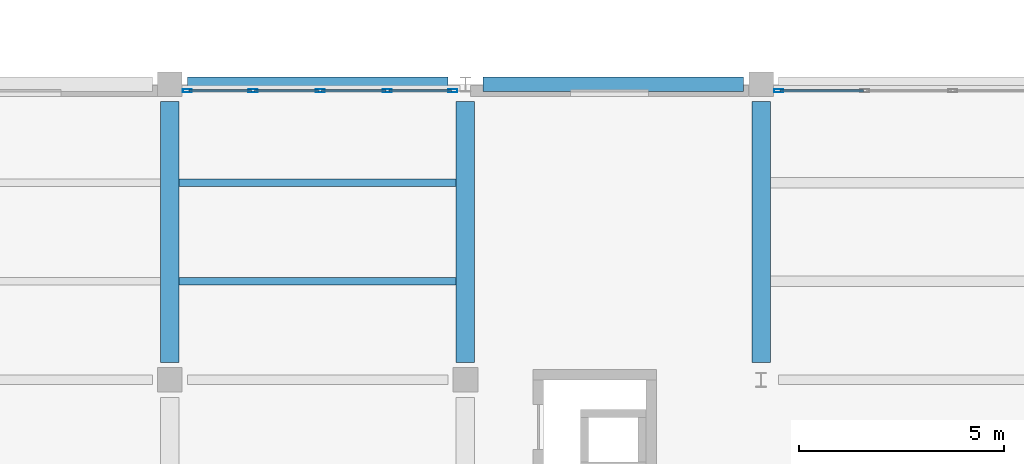
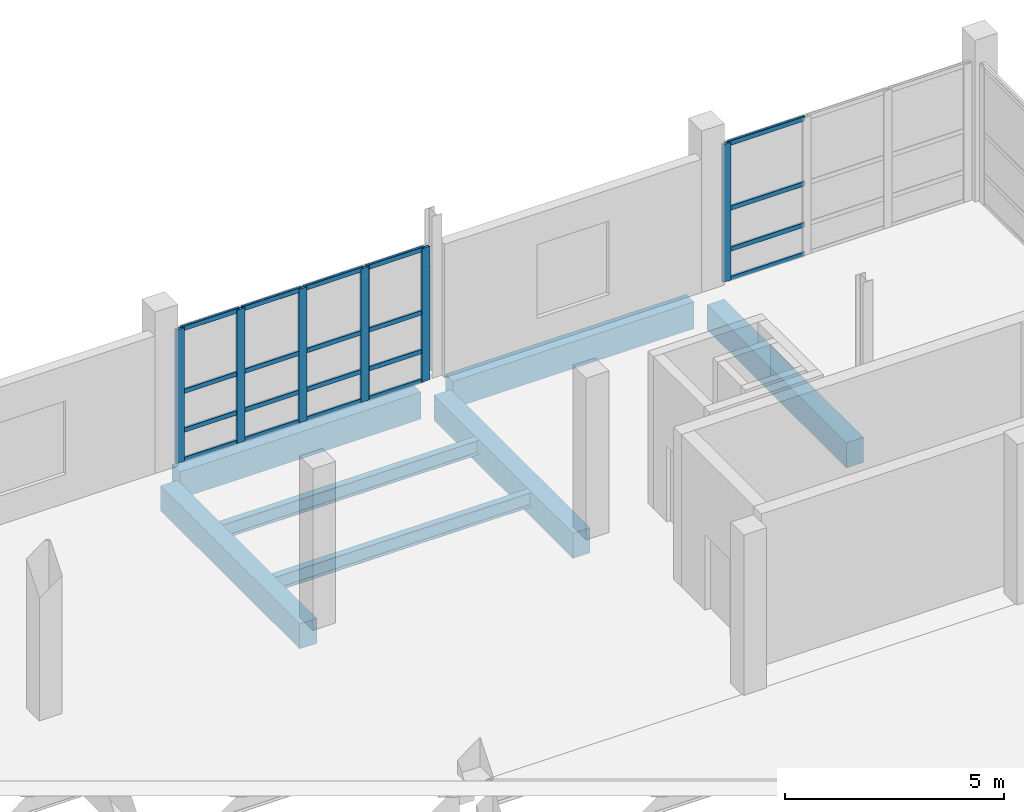
# One storey, part 71 of 123: 26 members, 7 beams, 2 elements without a shape of their own.
"""IFC4 building model written with IfcOpenShell, lengths in metres."""

import ifcopenshell
import ifcopenshell.guid

model = None  # the IFC model being written
_history = None  # IfcOwnerHistory: only IFC2X3 demands one
_inside = {}  # id of a spatial element -> (the spatial element, [elements in it])
_under = {}  # id of a project, library or spatial element -> (it, [spatial elements below it])
_declared = {}  # id of a project -> (the project, [libraries it declares])
_typed = {}  # id of a type object -> (the type object, [elements of that type])
_made_of = {}  # id of a material, layer set ... -> (it, [elements and type objects made of it])


def new_model(schema):
    """Start an empty IFC model of exactly this schema.

    Asked for "IFC4X3", IfcOpenShell would pick the latest addendum, in which some entities
    have other attributes; the version numbers below select the first issue.
    IFC2X3 requires an IfcOwnerHistory on every rooted entity: one is made here for all.
    """
    global model, _history
    if schema == "IFC4X3":
        model = ifcopenshell.file(schema_version=(4, 3, 0, 0))
    else:
        model = ifcopenshell.file(schema=schema)
    _inside.clear()
    _under.clear()
    _declared.clear()
    _typed.clear()
    _made_of.clear()
    _history = None
    if model.schema == "IFC2X3":
        org = make("IfcOrganization", Name="unknown")
        user = make(
            "IfcPersonAndOrganization",
            ThePerson=make("IfcPerson", FamilyName="unknown"),
            TheOrganization=org,
        )
        app = make(
            "IfcApplication",
            ApplicationDeveloper=org,
            Version="unknown",
            ApplicationFullName="unknown",
            ApplicationIdentifier="unknown",
        )
        _history = make(
            "IfcOwnerHistory",
            OwningUser=user,
            OwningApplication=app,
            ChangeAction="ADDED",
            CreationDate=0,
        )
    return model


def make(cls, **values):
    """One entity of the class cls with the attributes given. An attribute that is None is left unset."""
    return model.create_entity(
        cls, **{name: value for name, value in values.items() if value is not None}
    )


def rooted(cls, **values):
    """An entity with a GlobalId (a new one), such as an element, a storey or a relation."""
    return make(cls, GlobalId=ifcopenshell.guid.new(), OwnerHistory=_history, **values)


def si_unit(unit_type, name, prefix=None):
    """IfcSIUnit, for example si_unit("LENGTHUNIT", "METRE", prefix="MILLI")."""
    return make("IfcSIUnit", UnitType=unit_type, Prefix=prefix, Name=name)


def assignment(units):
    """IfcUnitAssignment: the units of a project."""
    return None if units is None else make("IfcUnitAssignment", Units=units)


def point(xyz):
    """IfcCartesianPoint."""
    return None if xyz is None else make("IfcCartesianPoint", Coordinates=xyz)


def direction(xyz):
    """IfcDirection."""
    return None if xyz is None else make("IfcDirection", DirectionRatios=xyz)


def frame(location, z_axis=None, x_axis=None):
    """IfcAxis2Placement3D, a coordinate frame: its origin and axes. An axis left out is left unset."""
    return make(
        "IfcAxis2Placement3D",
        Location=point(location),
        Axis=direction(z_axis),
        RefDirection=direction(x_axis),
    )


def frame_2d(location, x_axis=None):
    """IfcAxis2Placement2D, a coordinate frame in the plane: its origin and x axis."""
    return make(
        "IfcAxis2Placement2D", Location=point(location), RefDirection=direction(x_axis)
    )


def origin():
    """The frame at (0, 0, 0) with its axes left unset."""
    return frame((0.0, 0.0, 0.0))


def origin_2d():
    """The frame at (0, 0) in the plane with its x axis left unset."""
    return frame_2d((0.0, 0.0))


def place(relative_to, where):
    """IfcLocalPlacement: puts the frame where relative to a parent placement (None: the world)."""
    return make(
        "IfcLocalPlacement", PlacementRelTo=relative_to, RelativePlacement=where
    )


def context(
    kind, dimensions, precision=None, world=None, true_north=None, identifier=None
):
    """IfcGeometricRepresentationContext, for example the 3D "Model" context."""
    return make(
        "IfcGeometricRepresentationContext",
        ContextIdentifier=identifier,
        ContextType=kind,
        CoordinateSpaceDimension=dimensions,
        Precision=precision,
        WorldCoordinateSystem=world,
        TrueNorth=true_north,
    )


def subcontext(parent, identifier, kind, view, scale=None):
    """IfcGeometricRepresentationSubContext, for example "Body" below "Model"."""
    return make(
        "IfcGeometricRepresentationSubContext",
        ContextIdentifier=identifier,
        ContextType=kind,
        ParentContext=parent,
        TargetScale=scale,
        TargetView=view,
    )


def project(units=None, contexts=None):
    """IfcProject with its units and contexts."""
    return rooted(
        "IfcProject",
        Name="project",
        RepresentationContexts=contexts,
        UnitsInContext=assignment(units),
    )


def spatial(cls, under=None, at=None, **own):
    """A site, building, storey or space (cls), placed at a placement, below another one or the project."""
    s = rooted(cls, ObjectPlacement=at, **own)
    if under is not None:
        _under.setdefault(under.id(), (under, []))[1].append(s)
    return s


def profile(cls, at=None, kind="AREA", **sizes):
    """A parametric profile (cls). Its sizes go by their IFC names, for example OverallWidth=200.0."""
    return make(cls, ProfileType=kind, Position=at, **sizes)


def rectangle(**sizes):
    """IfcRectangleProfileDef."""
    return profile("IfcRectangleProfileDef", **sizes)


def hollow_rectangle(**sizes):
    """IfcRectangleHollowProfileDef."""
    return profile("IfcRectangleHollowProfileDef", **sizes)


def i_section(**sizes):
    """IfcIShapeProfileDef."""
    return profile("IfcIShapeProfileDef", **sizes)


def extrude(swept, where, along, depth):
    """IfcExtrudedAreaSolid: the profile swept, set in the frame where, extruded along a direction by depth."""
    return make(
        "IfcExtrudedAreaSolid",
        SweptArea=swept,
        Position=where,
        ExtrudedDirection=direction(along),
        Depth=depth,
    )


def shape(context_of_items, identifier, shape_type, items):
    """IfcShapeRepresentation: the items that make up one representation, for example the "Body"."""
    return make(
        "IfcShapeRepresentation",
        ContextOfItems=context_of_items,
        RepresentationIdentifier=identifier,
        RepresentationType=shape_type,
        Items=items,
    )


def material(Name=None, Category=None):
    """IfcMaterial."""
    return make("IfcMaterial", Name=Name, Category=Category)


def material_profile(
    of_material, cross_section, Name=None, Category=None, Priority=None
):
    """IfcMaterialProfile: a cross section and its material."""
    return make(
        "IfcMaterialProfile",
        Name=Name,
        Material=of_material,
        Profile=cross_section,
        Priority=Priority,
        Category=Category,
    )


def profile_set(profiles, Name=None, composite=None):
    """IfcMaterialProfileSet."""
    return make(
        "IfcMaterialProfileSet",
        Name=Name,
        MaterialProfiles=profiles,
        CompositeProfile=composite,
    )


def made_of(thing, what):
    """Note that an element or type object is made of a material, layer set ...; save() writes the relation."""
    if what is not None:
        _made_of.setdefault(what.id(), (what, []))[1].append(thing)
    return thing


def type_object(cls, material=None, **own):
    """A type object (cls), such as IfcWallType, which elements share."""
    return made_of(rooted(cls, **own), material)


def element(
    cls,
    number,
    at=None,
    inside=None,
    cuts=None,
    type_object=None,
    material=None,
    context=None,
    identifier="Body",
    shape_type=None,
    held_by="IfcProductDefinitionShape",
    body=None,
    shapes=None,
    **own,
):
    """One element of the class cls, such as IfcWall. Its Tag is "e" and its number.

    at: its placement. inside: the storey or other place that contains it. cuts: it is an
    opening in that element (IfcRelVoidsElement). A single representation is given by context,
    identifier, shape_type and body (its items); several are given by shapes. held_by: the class
    of the entity that holds the representations. save() writes the other relations.
    """
    e = rooted(cls, Tag="e%d" % number, ObjectPlacement=at, **own)
    if body is not None:
        shapes = [shape(context, identifier, shape_type, body)]
    if shapes is not None:
        e.Representation = make(held_by, Representations=shapes)
    if inside is not None:
        _inside.setdefault(inside.id(), (inside, []))[1].append(e)
    if cuts is not None:
        rooted(
            "IfcRelVoidsElement", RelatingBuildingElement=cuts, RelatedOpeningElement=e
        )
    if type_object is not None:
        _typed.setdefault(type_object.id(), (type_object, []))[1].append(e)
    return made_of(e, material)


def aggregate(whole, parts):
    """IfcRelAggregates: a whole, such as a stair, and the parts it consists of."""
    return rooted("IfcRelAggregates", RelatingObject=whole, RelatedObjects=parts)


def save(model, path):
    """Write the relations noted so far, then the file.

    IfcRelAggregates (storeys below a building ...), IfcRelContainedInSpatialStructure (elements
    in a storey), IfcRelDefinesByType, IfcRelAssociatesMaterial and IfcRelDeclares: one each for
    every whole, place, type object, material and project.
    """
    for whole, parts in _under.values():
        aggregate(whole, parts)
    for where, things in _inside.values():
        rooted(
            "IfcRelContainedInSpatialStructure",
            RelatedElements=things,
            RelatingStructure=where,
        )
    for kind, things in _typed.values():
        rooted("IfcRelDefinesByType", RelatedObjects=things, RelatingType=kind)
    for what, things in _made_of.values():
        rooted("IfcRelAssociatesMaterial", RelatedObjects=things, RelatingMaterial=what)
    for by, libraries in _declared.values():
        rooted("IfcRelDeclares", RelatingContext=by, RelatedDefinitions=libraries)
    model.write(path)


model = new_model("IFC4")

# Units and contexts
model_context = context("Model", 3, precision=1e-05, world=origin(), true_north=direction((0.0, 1.0)))
body_context = subcontext(model_context, "Body", "Model", "MODEL_VIEW")
ifc_project = project(units=[si_unit("LENGTHUNIT", "METRE"), si_unit("AREAUNIT", "SQUARE_METRE"), si_unit("VOLUMEUNIT", "CUBIC_METRE"), si_unit("PLANEANGLEUNIT", "RADIAN"), si_unit("MASSUNIT", "GRAM", prefix="KILO")], contexts=[model_context])

# Site, building, storey
site_placement = place(None, origin())
site = spatial("IfcSite", under=ifc_project, at=site_placement, CompositionType="ELEMENT")
building_placement = place(site_placement, origin())
building = spatial("IfcBuilding", under=site, at=building_placement, Name="Kalmorath City Hall", CompositionType="ELEMENT")
storey_placement = place(building_placement, frame((0.0, 0.0, 10.199951171875)))
storey = spatial("IfcBuildingStorey", under=building, at=storey_placement, Name="L02", CompositionType="ELEMENT", Elevation=10.199951171875)

# Beams
ifc_material_1 = material(Name="Concrete C40/50", Category="concrete")
ifc_material_profile_1 = material_profile(ifc_material_1, rectangle(XDim=0.449951171875, YDim=0.699951171875, at=origin_2d()), Name="RC-BM-450X700")
ifc_profile_set_1 = profile_set([ifc_material_profile_1], Name="Concrete C40/50")
beam_type_1 = type_object("IfcBeamType", Name="Concrete floor beam 450x700", PredefinedType="BEAM", material=ifc_profile_set_1)
for number, where, z_axis, x_axis, name in (
    (1, (144.0, 94.02490234375, -0.634033203125), (0.0, 1.0, 0.0), (-1.0, 0.0, 0.0), "L02 girder CB4 Y21/14-15"),
    (2, (151.199951171875, 94.02490234375, -0.634033203125), (0.0, 1.0, 0.0), (-1.0, 0.0, 0.0), "L02 girder CB4 Y22/14-15"),
    (3, (158.39990234375, 94.02490234375, -0.634033203125), (0.0, 1.0, 0.0), (-1.0, 0.0, 0.0), "L02 girder CB4 Y23/14-15"),
):
    element("IfcBeam", number, at=place(storey_placement, frame(where, z_axis=z_axis, x_axis=x_axis)), inside=storey, type_object=beam_type_1, Name=name, PredefinedType="BEAM", context=body_context, shape_type="SweptSolid", body=[
        extrude(rectangle(XDim=0.449951171875, YDim=0.699951171875, at=origin_2d()), origin(), (0.0, 0.0, 1.0), 6.35009765625),
    ])

# Curtain wall, members
ifc_material_2 = material(Name="Anodised aluminium and laminated glass", Category="aluminium")
curtain_wall_type_1 = type_object("IfcCurtainWallType", Name="Unitised hurricane curtain wall 6543x3715 M1850", PredefinedType="NOTDEFINED", material=ifc_material_2)
curtain_wall_1_placement = place(storey_placement, origin())
curtain_wall_1 = element("IfcCurtainWall", 4, at=curtain_wall_1_placement, inside=storey, type_object=curtain_wall_type_1, Name="L02 curtain wall CW-65X37M18 #115", PredefinedType="NOTDEFINED")
ifc_material_3 = material(Name="Anodised aluminium framing", Category="aluminium")
ifc_material_profile_2 = material_profile(ifc_material_3, hollow_rectangle(XDim=0.06005859375, YDim=0.1298828125, WallThickness=0.00341796875, InnerFilletRadius=0.00341796875, OuterFilletRadius=0.007080078125, at=origin_2d()), Name="ALU-TRN-130X60X3.5")
ifc_profile_set_2 = profile_set([ifc_material_profile_2], Name="Anodised aluminium framing")
member_type_1 = type_object("IfcMemberType", Name="Curtain-wall courtyard transom 130x60", PredefinedType="USERDEFINED", material=ifc_profile_set_2)
member_1_placement = place(storey_placement, frame((144.465087890625, 100.639892578125, 0.030029296875), z_axis=(1.0, 0.0, 0.0), x_axis=(0.0, 1.0, 0.0)))
member_1 = element("IfcMember", 5, at=member_1_placement, type_object=member_type_1, Name="CW-65X37M18 transom 1.1", ObjectType="TRANSOM", PredefinedType="USERDEFINED", context=body_context, shape_type="SweptSolid", body=[
    extrude(hollow_rectangle(XDim=0.06005859375, YDim=0.1298828125, WallThickness=0.00341796875, InnerFilletRadius=0.00341796875, OuterFilletRadius=0.007080078125, at=origin_2d()), origin(), (0.0, 0.0, 1.0), 1.523193359375),
])
member_2_placement = place(storey_placement, frame((144.465087890625, 100.639892578125, 0.85009765625), z_axis=(1.0, 0.0, 0.0), x_axis=(0.0, 1.0, 0.0)))
member_2 = element("IfcMember", 6, at=member_2_placement, type_object=member_type_1, Name="CW-65X37M18 transom 1.2", ObjectType="TRANSOM", PredefinedType="USERDEFINED", context=body_context, shape_type="SweptSolid", body=[
    extrude(hollow_rectangle(XDim=0.06005859375, YDim=0.1298828125, WallThickness=0.00341796875, InnerFilletRadius=0.00341796875, OuterFilletRadius=0.007080078125, at=origin_2d()), origin(), (0.0, 0.0, 1.0), 1.523193359375),
])
member_3_placement = place(storey_placement, frame((144.465087890625, 100.639892578125, 1.93212890625), z_axis=(1.0, 0.0, 0.0), x_axis=(0.0, 1.0, 0.0)))
member_3 = element("IfcMember", 7, at=member_3_placement, type_object=member_type_1, Name="CW-65X37M18 transom 1.3", ObjectType="TRANSOM", PredefinedType="USERDEFINED", context=body_context, shape_type="SweptSolid", body=[
    extrude(hollow_rectangle(XDim=0.06005859375, YDim=0.1298828125, WallThickness=0.00341796875, InnerFilletRadius=0.00341796875, OuterFilletRadius=0.007080078125, at=origin_2d()), origin(), (0.0, 0.0, 1.0), 1.523193359375),
])
member_4_placement = place(storey_placement, frame((144.465087890625, 100.639892578125, 3.68505859375), z_axis=(1.0, 0.0, 0.0), x_axis=(0.0, 1.0, 0.0)))
member_4 = element("IfcMember", 8, at=member_4_placement, type_object=member_type_1, Name="CW-65X37M18 transom 1.4", ObjectType="TRANSOM", PredefinedType="USERDEFINED", context=body_context, shape_type="SweptSolid", body=[
    extrude(hollow_rectangle(XDim=0.06005859375, YDim=0.1298828125, WallThickness=0.00341796875, InnerFilletRadius=0.00341796875, OuterFilletRadius=0.007080078125, at=origin_2d()), origin(), (0.0, 0.0, 1.0), 1.523193359375),
])
member_5_placement = place(storey_placement, frame((146.0634765625, 100.639892578125, 0.030029296875), z_axis=(1.0, 0.0, 0.0), x_axis=(0.0, 1.0, 0.0)))
member_5 = element("IfcMember", 9, at=member_5_placement, type_object=member_type_1, Name="CW-65X37M18 transom 2.1", ObjectType="TRANSOM", PredefinedType="USERDEFINED", context=body_context, shape_type="SweptSolid", body=[
    extrude(hollow_rectangle(XDim=0.06005859375, YDim=0.1298828125, WallThickness=0.00341796875, InnerFilletRadius=0.00341796875, OuterFilletRadius=0.007080078125, at=origin_2d()), origin(), (0.0, 0.0, 1.0), 1.560791015625),
])
member_6_placement = place(storey_placement, frame((146.0634765625, 100.639892578125, 0.85009765625), z_axis=(1.0, 0.0, 0.0), x_axis=(0.0, 1.0, 0.0)))
member_6 = element("IfcMember", 10, at=member_6_placement, type_object=member_type_1, Name="CW-65X37M18 transom 2.2", ObjectType="TRANSOM", PredefinedType="USERDEFINED", context=body_context, shape_type="SweptSolid", body=[
    extrude(hollow_rectangle(XDim=0.06005859375, YDim=0.1298828125, WallThickness=0.00341796875, InnerFilletRadius=0.00341796875, OuterFilletRadius=0.007080078125, at=origin_2d()), origin(), (0.0, 0.0, 1.0), 1.560791015625),
])
member_7_placement = place(storey_placement, frame((146.0634765625, 100.639892578125, 1.93212890625), z_axis=(1.0, 0.0, 0.0), x_axis=(0.0, 1.0, 0.0)))
member_7 = element("IfcMember", 11, at=member_7_placement, type_object=member_type_1, Name="CW-65X37M18 transom 2.3", ObjectType="TRANSOM", PredefinedType="USERDEFINED", context=body_context, shape_type="SweptSolid", body=[
    extrude(hollow_rectangle(XDim=0.06005859375, YDim=0.1298828125, WallThickness=0.00341796875, InnerFilletRadius=0.00341796875, OuterFilletRadius=0.007080078125, at=origin_2d()), origin(), (0.0, 0.0, 1.0), 1.560791015625),
])
member_8_placement = place(storey_placement, frame((146.0634765625, 100.639892578125, 3.68505859375), z_axis=(1.0, 0.0, 0.0), x_axis=(0.0, 1.0, 0.0)))
member_8 = element("IfcMember", 12, at=member_8_placement, type_object=member_type_1, Name="CW-65X37M18 transom 2.4", ObjectType="TRANSOM", PredefinedType="USERDEFINED", context=body_context, shape_type="SweptSolid", body=[
    extrude(hollow_rectangle(XDim=0.06005859375, YDim=0.1298828125, WallThickness=0.00341796875, InnerFilletRadius=0.00341796875, OuterFilletRadius=0.007080078125, at=origin_2d()), origin(), (0.0, 0.0, 1.0), 1.560791015625),
])
member_9_placement = place(storey_placement, frame((147.69921875, 100.639892578125, 0.030029296875), z_axis=(1.0, 0.0, 0.0), x_axis=(0.0, 1.0, 0.0)))
member_9 = element("IfcMember", 13, at=member_9_placement, type_object=member_type_1, Name="CW-65X37M18 transom 3.1", ObjectType="TRANSOM", PredefinedType="USERDEFINED", context=body_context, shape_type="SweptSolid", body=[
    extrude(hollow_rectangle(XDim=0.06005859375, YDim=0.1298828125, WallThickness=0.00341796875, InnerFilletRadius=0.00341796875, OuterFilletRadius=0.007080078125, at=origin_2d()), origin(), (0.0, 0.0, 1.0), 1.560791015625),
])
member_10_placement = place(storey_placement, frame((147.69921875, 100.639892578125, 0.85009765625), z_axis=(1.0, 0.0, 0.0), x_axis=(0.0, 1.0, 0.0)))
member_10 = element("IfcMember", 14, at=member_10_placement, type_object=member_type_1, Name="CW-65X37M18 transom 3.2", ObjectType="TRANSOM", PredefinedType="USERDEFINED", context=body_context, shape_type="SweptSolid", body=[
    extrude(hollow_rectangle(XDim=0.06005859375, YDim=0.1298828125, WallThickness=0.00341796875, InnerFilletRadius=0.00341796875, OuterFilletRadius=0.007080078125, at=origin_2d()), origin(), (0.0, 0.0, 1.0), 1.560791015625),
])
member_11_placement = place(storey_placement, frame((147.69921875, 100.639892578125, 1.93212890625), z_axis=(1.0, 0.0, 0.0), x_axis=(0.0, 1.0, 0.0)))
member_11 = element("IfcMember", 15, at=member_11_placement, type_object=member_type_1, Name="CW-65X37M18 transom 3.3", ObjectType="TRANSOM", PredefinedType="USERDEFINED", context=body_context, shape_type="SweptSolid", body=[
    extrude(hollow_rectangle(XDim=0.06005859375, YDim=0.1298828125, WallThickness=0.00341796875, InnerFilletRadius=0.00341796875, OuterFilletRadius=0.007080078125, at=origin_2d()), origin(), (0.0, 0.0, 1.0), 1.560791015625),
])
member_12_placement = place(storey_placement, frame((147.69921875, 100.639892578125, 3.68505859375), z_axis=(1.0, 0.0, 0.0), x_axis=(0.0, 1.0, 0.0)))
member_12 = element("IfcMember", 16, at=member_12_placement, type_object=member_type_1, Name="CW-65X37M18 transom 3.4", ObjectType="TRANSOM", PredefinedType="USERDEFINED", context=body_context, shape_type="SweptSolid", body=[
    extrude(hollow_rectangle(XDim=0.06005859375, YDim=0.1298828125, WallThickness=0.00341796875, InnerFilletRadius=0.00341796875, OuterFilletRadius=0.007080078125, at=origin_2d()), origin(), (0.0, 0.0, 1.0), 1.560791015625),
])
member_13_placement = place(storey_placement, frame((149.335205078125, 100.639892578125, 0.030029296875), z_axis=(1.0, 0.0, 0.0), x_axis=(0.0, 1.0, 0.0)))
member_13 = element("IfcMember", 17, at=member_13_placement, type_object=member_type_1, Name="CW-65X37M18 transom 4.1", ObjectType="TRANSOM", PredefinedType="USERDEFINED", context=body_context, shape_type="SweptSolid", body=[
    extrude(hollow_rectangle(XDim=0.06005859375, YDim=0.1298828125, WallThickness=0.00341796875, InnerFilletRadius=0.00341796875, OuterFilletRadius=0.007080078125, at=origin_2d()), origin(), (0.0, 0.0, 1.0), 1.523193359375),
])
member_14_placement = place(storey_placement, frame((149.335205078125, 100.639892578125, 0.85009765625), z_axis=(1.0, 0.0, 0.0), x_axis=(0.0, 1.0, 0.0)))
member_14 = element("IfcMember", 18, at=member_14_placement, type_object=member_type_1, Name="CW-65X37M18 transom 4.2", ObjectType="TRANSOM", PredefinedType="USERDEFINED", context=body_context, shape_type="SweptSolid", body=[
    extrude(hollow_rectangle(XDim=0.06005859375, YDim=0.1298828125, WallThickness=0.00341796875, InnerFilletRadius=0.00341796875, OuterFilletRadius=0.007080078125, at=origin_2d()), origin(), (0.0, 0.0, 1.0), 1.523193359375),
])
member_15_placement = place(storey_placement, frame((149.335205078125, 100.639892578125, 1.93212890625), z_axis=(1.0, 0.0, 0.0), x_axis=(0.0, 1.0, 0.0)))
member_15 = element("IfcMember", 19, at=member_15_placement, type_object=member_type_1, Name="CW-65X37M18 transom 4.3", ObjectType="TRANSOM", PredefinedType="USERDEFINED", context=body_context, shape_type="SweptSolid", body=[
    extrude(hollow_rectangle(XDim=0.06005859375, YDim=0.1298828125, WallThickness=0.00341796875, InnerFilletRadius=0.00341796875, OuterFilletRadius=0.007080078125, at=origin_2d()), origin(), (0.0, 0.0, 1.0), 1.523193359375),
])
member_16_placement = place(storey_placement, frame((149.335205078125, 100.639892578125, 3.68505859375), z_axis=(1.0, 0.0, 0.0), x_axis=(0.0, 1.0, 0.0)))
member_16 = element("IfcMember", 20, at=member_16_placement, type_object=member_type_1, Name="CW-65X37M18 transom 4.4", ObjectType="TRANSOM", PredefinedType="USERDEFINED", context=body_context, shape_type="SweptSolid", body=[
    extrude(hollow_rectangle(XDim=0.06005859375, YDim=0.1298828125, WallThickness=0.00341796875, InnerFilletRadius=0.00341796875, OuterFilletRadius=0.007080078125, at=origin_2d()), origin(), (0.0, 0.0, 1.0), 1.523193359375),
])

ifc_material_4 = material(Name="Anodised aluminium and laminated glass", Category="aluminium")
curtain_wall_type_2 = type_object("IfcCurtainWallType", Name="Unitised hurricane curtain wall 6420x3835 M1850", PredefinedType="NOTDEFINED", material=ifc_material_4)
curtain_wall_2_placement = place(storey_placement, origin())
curtain_wall_2 = element("IfcCurtainWall", 21, at=curtain_wall_2_placement, inside=storey, type_object=curtain_wall_type_2, Name="L02 curtain wall CW-64X38M18 #116", PredefinedType="NOTDEFINED")
member_17_placement = place(storey_placement, frame((158.864990234375, 100.639892578125, 0.030029296875), z_axis=(1.0, 0.0, 0.0), x_axis=(0.0, 1.0, 0.0)))
member_17 = element("IfcMember", 22, at=member_17_placement, type_object=member_type_1, Name="CW-64X38M18 transom 1.1", ObjectType="TRANSOM", PredefinedType="USERDEFINED", context=body_context, shape_type="SweptSolid", body=[
    extrude(hollow_rectangle(XDim=0.06005859375, YDim=0.1298828125, WallThickness=0.00341796875, InnerFilletRadius=0.00341796875, OuterFilletRadius=0.007080078125, at=origin_2d()), origin(), (0.0, 0.0, 1.0), 2.027587890625),
])
member_18_placement = place(storey_placement, frame((158.864990234375, 100.639892578125, 0.85009765625), z_axis=(1.0, 0.0, 0.0), x_axis=(0.0, 1.0, 0.0)))
member_18 = element("IfcMember", 23, at=member_18_placement, type_object=member_type_1, Name="CW-64X38M18 transom 1.2", ObjectType="TRANSOM", PredefinedType="USERDEFINED", context=body_context, shape_type="SweptSolid", body=[
    extrude(hollow_rectangle(XDim=0.06005859375, YDim=0.1298828125, WallThickness=0.00341796875, InnerFilletRadius=0.00341796875, OuterFilletRadius=0.007080078125, at=origin_2d()), origin(), (0.0, 0.0, 1.0), 2.027587890625),
])
member_19_placement = place(storey_placement, frame((158.864990234375, 100.639892578125, 1.994140625), z_axis=(1.0, 0.0, 0.0), x_axis=(0.0, 1.0, 0.0)))
member_19 = element("IfcMember", 24, at=member_19_placement, type_object=member_type_1, Name="CW-64X38M18 transom 1.3", ObjectType="TRANSOM", PredefinedType="USERDEFINED", context=body_context, shape_type="SweptSolid", body=[
    extrude(hollow_rectangle(XDim=0.06005859375, YDim=0.1298828125, WallThickness=0.00341796875, InnerFilletRadius=0.00341796875, OuterFilletRadius=0.007080078125, at=origin_2d()), origin(), (0.0, 0.0, 1.0), 2.027587890625),
])
member_20_placement = place(storey_placement, frame((158.864990234375, 100.639892578125, 3.804931640625), z_axis=(1.0, 0.0, 0.0), x_axis=(0.0, 1.0, 0.0)))
member_20 = element("IfcMember", 25, at=member_20_placement, type_object=member_type_1, Name="CW-64X38M18 transom 1.4", ObjectType="TRANSOM", PredefinedType="USERDEFINED", context=body_context, shape_type="SweptSolid", body=[
    extrude(hollow_rectangle(XDim=0.06005859375, YDim=0.1298828125, WallThickness=0.00341796875, InnerFilletRadius=0.00341796875, OuterFilletRadius=0.007080078125, at=origin_2d()), origin(), (0.0, 0.0, 1.0), 2.027587890625),
])

# Member
ifc_material_5 = material(Name="Anodised aluminium framing", Category="aluminium")
ifc_material_profile_3 = material_profile(ifc_material_5, hollow_rectangle(XDim=0.074951171875, YDim=0.219970703125, WallThickness=0.00390625, InnerFilletRadius=0.00390625, OuterFilletRadius=0.008056640625, at=origin_2d()), Name="ALU-MUL-220X75X4")
ifc_profile_set_3 = profile_set([ifc_material_profile_3], Name="Anodised aluminium framing")
member_type_2 = type_object("IfcMemberType", Name="Curtain-wall primary mullion 220x75", PredefinedType="MULLION", material=ifc_profile_set_3)
member_21_placement = place(storey_placement, frame((144.427490234375, 100.639892578125, 0.0), z_axis=(0.0, 0.0, 1.0), x_axis=(0.0, 1.0, 0.0)))
member_21 = element("IfcMember", 26, at=member_21_placement, type_object=member_type_2, Name="CW-65X37M18 mullion 1", PredefinedType="MULLION", context=body_context, shape_type="SweptSolid", body=[
    extrude(hollow_rectangle(XDim=0.074951171875, YDim=0.219970703125, WallThickness=0.00390625, InnerFilletRadius=0.00390625, OuterFilletRadius=0.008056640625, at=origin_2d()), origin(), (0.0, 0.0, 1.0), 3.715087890625),
])

member_22_placement = place(storey_placement, frame((146.02587890625, 100.639892578125, 0.0), z_axis=(0.0, 0.0, 1.0), x_axis=(0.0, 1.0, 0.0)))
member_22 = element("IfcMember", 27, at=member_22_placement, type_object=member_type_2, Name="CW-65X37M18 mullion 2", PredefinedType="MULLION", context=body_context, shape_type="SweptSolid", body=[
    extrude(hollow_rectangle(XDim=0.074951171875, YDim=0.219970703125, WallThickness=0.00390625, InnerFilletRadius=0.00390625, OuterFilletRadius=0.008056640625, at=origin_2d()), origin(), (0.0, 0.0, 1.0), 3.715087890625),
])

member_23_placement = place(storey_placement, frame((147.661865234375, 100.639892578125, 0.0), z_axis=(0.0, 0.0, 1.0), x_axis=(0.0, 1.0, 0.0)))
member_23 = element("IfcMember", 28, at=member_23_placement, type_object=member_type_2, Name="CW-65X37M18 mullion 3", PredefinedType="MULLION", context=body_context, shape_type="SweptSolid", body=[
    extrude(hollow_rectangle(XDim=0.074951171875, YDim=0.219970703125, WallThickness=0.00390625, InnerFilletRadius=0.00390625, OuterFilletRadius=0.008056640625, at=origin_2d()), origin(), (0.0, 0.0, 1.0), 3.715087890625),
])

member_24_placement = place(storey_placement, frame((149.297607421875, 100.639892578125, 0.0), z_axis=(0.0, 0.0, 1.0), x_axis=(0.0, 1.0, 0.0)))
member_24 = element("IfcMember", 29, at=member_24_placement, type_object=member_type_2, Name="CW-65X37M18 mullion 4", PredefinedType="MULLION", context=body_context, shape_type="SweptSolid", body=[
    extrude(hollow_rectangle(XDim=0.074951171875, YDim=0.219970703125, WallThickness=0.00390625, InnerFilletRadius=0.00390625, OuterFilletRadius=0.008056640625, at=origin_2d()), origin(), (0.0, 0.0, 1.0), 3.715087890625),
])

member_25_placement = place(storey_placement, frame((150.89599609375, 100.639892578125, 0.0), z_axis=(0.0, 0.0, 1.0), x_axis=(0.0, 1.0, 0.0)))
member_25 = element("IfcMember", 30, at=member_25_placement, type_object=member_type_2, Name="CW-65X37M18 mullion 5", PredefinedType="MULLION", context=body_context, shape_type="SweptSolid", body=[
    extrude(hollow_rectangle(XDim=0.074951171875, YDim=0.219970703125, WallThickness=0.00390625, InnerFilletRadius=0.00390625, OuterFilletRadius=0.008056640625, at=origin_2d()), origin(), (0.0, 0.0, 1.0), 3.715087890625),
])

aggregate(curtain_wall_1, [member_21, member_22, member_23, member_24, member_25, member_1, member_2, member_3, member_4, member_5, member_6, member_7, member_8, member_9, member_10, member_11, member_12, member_13, member_14, member_15, member_16])

member_26_placement = place(storey_placement, frame((158.827392578125, 100.639892578125, 0.0), z_axis=(0.0, 0.0, 1.0), x_axis=(0.0, 1.0, 0.0)))
member_26 = element("IfcMember", 31, at=member_26_placement, type_object=member_type_2, Name="CW-64X38M18 mullion 1", PredefinedType="MULLION", context=body_context, shape_type="SweptSolid", body=[
    extrude(hollow_rectangle(XDim=0.074951171875, YDim=0.219970703125, WallThickness=0.00390625, InnerFilletRadius=0.00390625, OuterFilletRadius=0.008056640625, at=origin_2d()), origin(), (0.0, 0.0, 1.0), 3.8349609375),
])

aggregate(curtain_wall_2, [member_26, member_17, member_18, member_19, member_20])

# Beams
ifc_material_6 = material(Name="Precast concrete C40/50", Category="concrete")
ifc_material_profile_4 = material_profile(ifc_material_6, rectangle(XDim=0.35009765625, YDim=0.75, at=origin_2d()), Name="PC-SP-350X750")
ifc_profile_set_4 = profile_set([ifc_material_profile_4], Name="Precast concrete C40/50")
beam_type_2 = type_object("IfcBeamType", Name="Precast spandrel lintel 350x750", PredefinedType="LINTEL", material=ifc_profile_set_4)
beam_1_placement = place(storey_placement, frame((144.425048828125, 100.800048828125, -0.658935546875), z_axis=(1.0, 0.0, 0.0), x_axis=(0.0, 1.0, 0.0)))
element("IfcBeam", 32, at=beam_1_placement, inside=storey, type_object=beam_type_2, Name="L02 girder PSB1 X21-22/15", PredefinedType="LINTEL", context=body_context, shape_type="SweptSolid", body=[
    extrude(rectangle(XDim=0.35009765625, YDim=0.75, at=origin_2d()), origin(), (0.0, 0.0, 1.0), 6.349853515625),
])
beam_2_placement = place(storey_placement, frame((151.625, 100.800048828125, -0.658935546875), z_axis=(1.0, 0.0, 0.0), x_axis=(0.0, 1.0, 0.0)))
element("IfcBeam", 33, at=beam_2_placement, inside=storey, type_object=beam_type_2, Name="L02 girder PSB1 X22-23/15", PredefinedType="LINTEL", context=body_context, shape_type="SweptSolid", body=[
    extrude(rectangle(XDim=0.35009765625, YDim=0.75, at=origin_2d()), origin(), (0.0, 0.0, 1.0), 6.35009765625),
])
ifc_material_7 = material(Name="Steel ASTM A992 Grade 50", Category="steel")
ifc_material_profile_5 = material_profile(ifc_material_7, i_section(OverallWidth=0.177001953125, OverallDepth=0.403076171875, WebThickness=0.007568359375, FlangeThickness=0.010986328125, FilletRadius=0.012939453125, at=origin_2d()), Name="W16X36")
ifc_profile_set_5 = profile_set([ifc_material_profile_5], Name="Steel ASTM A992 Grade 50")
beam_type_3 = type_object("IfcBeamType", Name="Steel composite joist W16X36", PredefinedType="JOIST", material=ifc_profile_set_5)
for number, where, z_axis, x_axis, name in (
    (34, (144.22509765625, 96.0, -0.4853515625), (1.0, 0.0, 0.0), (0.0, 1.0, 0.0), "L02 joist SJ7 21.14.1"),
    (35, (144.22509765625, 98.39990234375, -0.4853515625), (1.0, 0.0, 0.0), (0.0, 1.0, 0.0), "L02 joist SJ7 21.14.2"),
):
    element("IfcBeam", number, at=place(storey_placement, frame(where, z_axis=z_axis, x_axis=x_axis)), inside=storey, type_object=beam_type_3, Name=name, PredefinedType="JOIST", context=body_context, shape_type="SweptSolid", body=[
        extrude(i_section(OverallWidth=0.177001953125, OverallDepth=0.403076171875, WebThickness=0.007568359375, FlangeThickness=0.010986328125, FilletRadius=0.012939453125, at=origin_2d()), origin(), (0.0, 0.0, 1.0), 6.75),
    ])

save(model, "model.ifc")
